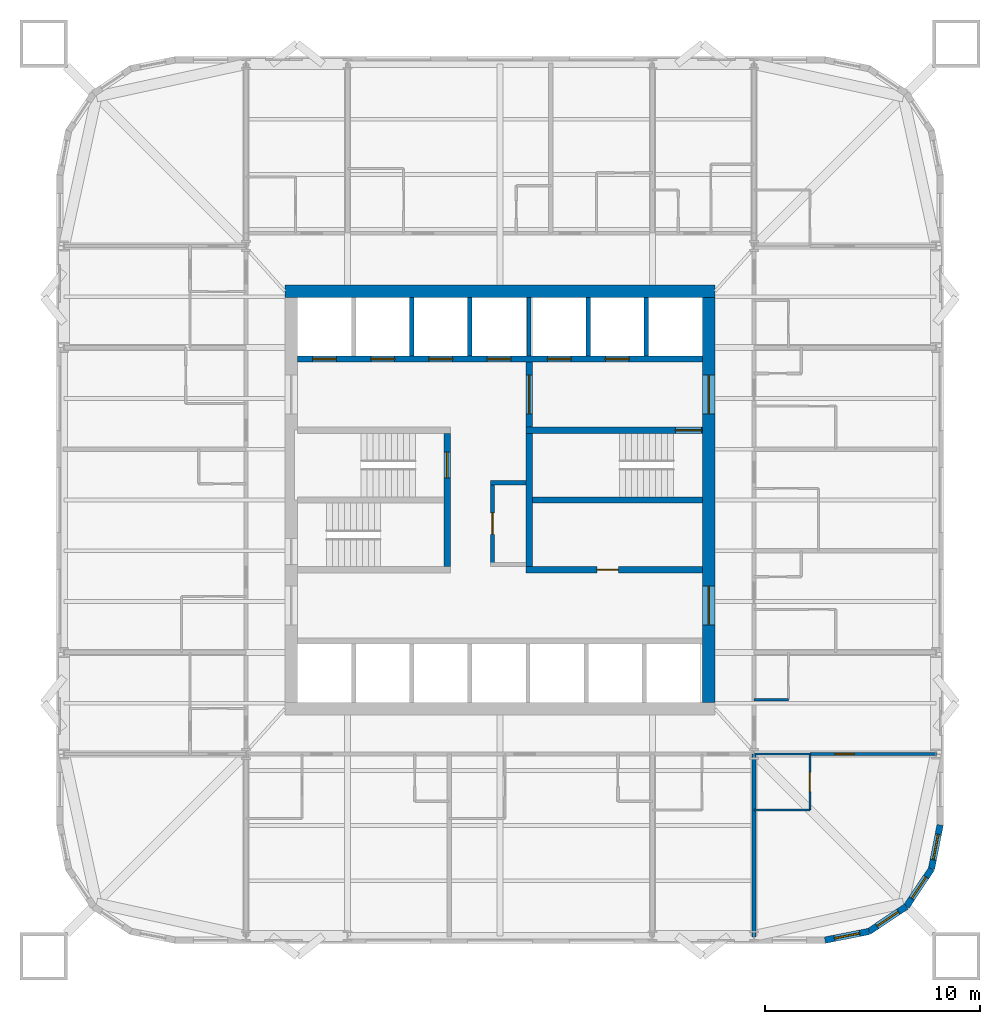
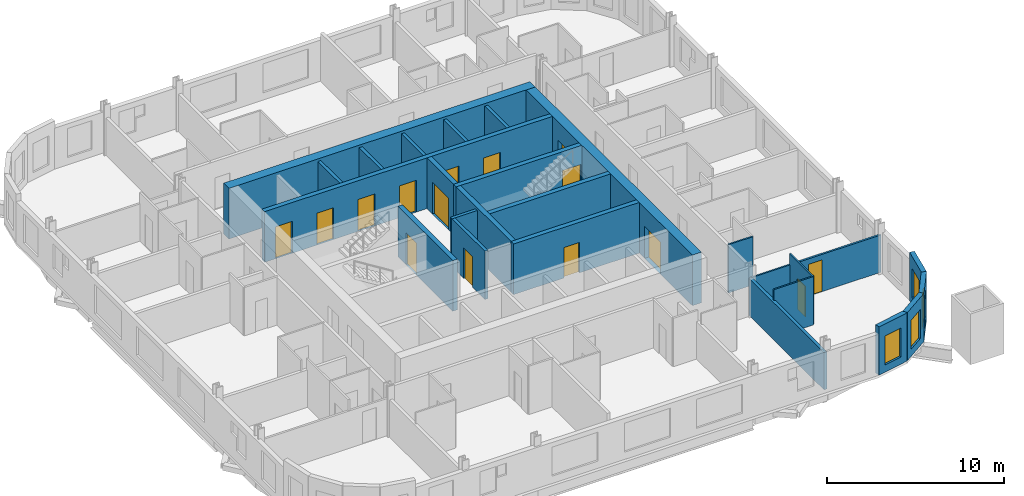
# One storey, part 5 of 9: 25 walls, 15 doors, 4 windows, 19 openings.
"""IFC4 building model written with IfcOpenShell, lengths in metres."""

from ifc_helpers import new_model, si_unit, direction, frame, frame_2d, origin, place, context, subcontext, project, spatial, rectangle, extrude, material, layer, layer_set, type_object, element, fill, save


model = new_model("IFC4")

# Units and contexts
model_context = context("Model", 3, precision=1e-05, world=origin(), true_north=direction((0.0, 1.0)))
body_context = subcontext(model_context, "Body", "Model", "MODEL_VIEW")
ifc_project = project(units=[si_unit("LENGTHUNIT", "METRE"), si_unit("AREAUNIT", "SQUARE_METRE"), si_unit("VOLUMEUNIT", "CUBIC_METRE"), si_unit("PLANEANGLEUNIT", "RADIAN"), si_unit("MASSUNIT", "GRAM", prefix="KILO")], contexts=[model_context])

# Site, building, storey
site_placement = place(None, origin())
site = spatial("IfcSite", under=ifc_project, at=site_placement, CompositionType="ELEMENT")
building_placement = place(site_placement, origin())
building = spatial("IfcBuilding", under=site, at=building_placement, Name="Turquesa Mirador Hotel Tower", CompositionType="ELEMENT")
storey_placement = place(building_placement, frame((0.0, 0.0, 110.89990234375)))
storey = spatial("IfcBuildingStorey", under=building, at=storey_placement, Name="L29", CompositionType="ELEMENT", Elevation=110.89990234375)

# Walls
ifc_material_1 = material(Name="Gypsum board on steel studs", Category="steel")
ifc_layer_1 = layer(ifc_material_1, 0.10009765625)
ifc_layer_set_1 = layer_set([ifc_layer_1], Name="BATHROOM WALL 100")
wall_type_1 = type_object("IfcWallType", Name="BATHROOM WALL 100", PredefinedType="PARTITIONING", material=ifc_layer_set_1)
wall_1_placement = place(storey_placement, frame((66.800048828125, 33.199951171875, 0.0), z_axis=(0.0, 0.0, 1.0), x_axis=(1.0, 0.0, 0.0)))
element("IfcWall", 1, at=wall_1_placement, inside=storey, type_object=wall_type_1, Name="Partition L29 001", PredefinedType="PARTITIONING", context=body_context, shape_type="SweptSolid", body=[
    extrude(rectangle(XDim=2.599853515625, YDim=0.10009765625, at=frame_2d((1.2998046875, 0.0))), origin(), (0.0, 0.0, 1.0), 2.5732421875),
])
wall_2_placement = place(storey_placement, frame((66.800048828125, 30.60009765625, 0.0), z_axis=(0.0, 0.0, 1.0), x_axis=(1.0, 0.0, 0.0)))
element("IfcWall", 2, at=wall_2_placement, inside=storey, type_object=wall_type_1, Name="Partition L29 008", PredefinedType="PARTITIONING", context=body_context, shape_type="SweptSolid", body=[
    extrude(rectangle(XDim=2.599853515625, YDim=0.10009765625, at=frame_2d((1.2998046875, 0.0))), origin(), (0.0, 0.0, 1.0), 3.330078125),
])
wall_3_placement = place(storey_placement, frame((66.800048828125, 35.719970703125, 0.0), z_axis=(0.0, 0.0, 1.0), x_axis=(1.0, 0.0, 0.0)))
element("IfcWall", 3, at=wall_3_placement, inside=storey, type_object=wall_type_1, Name="Partition L29 017", PredefinedType="PARTITIONING", context=body_context, shape_type="SweptSolid", body=[
    extrude(rectangle(XDim=1.599853515625, YDim=0.10009765625, at=frame_2d((0.7998046875, 0.0))), origin(), (0.0, 0.0, 1.0), 3.330078125),
])

# Wall, opening, door
wall_4_placement = place(storey_placement, frame((69.39990234375, 30.60009765625, 0.0), z_axis=(0.0, 0.0, 1.0), x_axis=(0.0, 1.0, 0.0)))
wall_4 = element("IfcWall", 4, at=wall_4_placement, inside=storey, type_object=wall_type_1, Name="Partition L29 067", PredefinedType="PARTITIONING", context=body_context, shape_type="SweptSolid", body=[
    extrude(rectangle(XDim=2.599853515625, YDim=0.10009765625, at=frame_2d((1.2998046875, 0.0))), origin(), (0.0, 0.0, 1.0), 3.330078125),
])
opening_1_placement = place(wall_4_placement, frame((0.85009765625, 0.0, 0.0)))
opening_1 = element("IfcOpeningElement", 5, at=opening_1_placement, cuts=wall_4, Name="Opening D02", PredefinedType="OPENING", context=body_context, shape_type="SweptSolid", body=[
    extrude(rectangle(XDim=0.89990234375, YDim=2.10009765625, at=frame_2d((0.449951171875, 1.050048828125))), frame((0.0, 0.06005859375, 0.0), z_axis=(0.0, -1.0, 0.0), x_axis=(1.0, 0.0, 0.0)), (0.0, 0.0, 1.0), 0.1201171875),
])
ifc_material_2 = material(Name="Timber veneered door", Category="wood")
door_type_1 = type_object("IfcDoorType", Name="DOOR 900X2100 EN-SUITE", OperationType="SINGLE_SWING_RIGHT", PredefinedType="DOOR", material=ifc_material_2)
door_1_placement = place(opening_1_placement, origin())
door_1 = element("IfcDoor", 6, at=door_1_placement, inside=storey, type_object=door_type_1, Name="Door 2916B", OperationType="SINGLE_SWING_RIGHT", OverallHeight=2.10009765625, OverallWidth=0.89990234375, PredefinedType="DOOR", context=body_context, shape_type="SweptSolid", body=[
    extrude(rectangle(XDim=0.89990234375, YDim=2.10009765625, at=frame_2d((0.449951171875, 1.050048828125))), frame((0.0, 0.02490234375, 0.0), z_axis=(0.0, -1.0, 0.0), x_axis=(1.0, 0.0, 0.0)), (0.0, 0.0, 1.0), 0.050048828125),
])
fill(opening_1, door_1)

# Wall, openings, doors
ifc_material_3 = material(Name="Concrete C50/60", Category="concrete")
ifc_layer_2 = layer(ifc_material_3, 0.300048828125)
ifc_layer_set_2 = layer_set([ifc_layer_2], Name="CORE INNER WALL 300")
wall_type_2 = type_object("IfcWallType", Name="CORE INNER WALL 300", PredefinedType="SHEAR", material=ifc_layer_set_2)
wall_5_placement = place(storey_placement, frame((45.60009765625, 51.550048828125, 0.0), z_axis=(0.0, 0.0, 1.0), x_axis=(1.0, 0.0, 0.0)))
wall_5 = element("IfcWall", 7, at=wall_5_placement, inside=storey, type_object=wall_type_2, Name="Core wall NL", PredefinedType="SHEAR", context=body_context, shape_type="SweptSolid", body=[
    extrude(rectangle(XDim=18.7998046875, YDim=0.300048828125, at=frame_2d((9.39990234375, 0.0))), origin(), (0.0, 0.0, 1.0), 3.5),
])
opening_2_placement = place(wall_5_placement, frame((0.699951171875, 0.0, 0.0)))
opening_2 = element("IfcOpeningElement", 8, at=opening_2_placement, cuts=wall_5, Name="Opening LD", PredefinedType="OPENING", context=body_context, shape_type="SweptSolid", body=[
    extrude(rectangle(XDim=1.10009765625, YDim=2.199951171875, at=frame_2d((0.550048828125, 1.10009765625))), frame((0.0, 0.159912109375, 0.0), z_axis=(0.0, -1.0, 0.0), x_axis=(1.0, 0.0, 0.0)), (0.0, 0.0, 1.0), 0.320068359375),
])
opening_3_placement = place(wall_5_placement, frame((3.39990234375, 0.0, 0.0)))
opening_3 = element("IfcOpeningElement", 9, at=opening_3_placement, cuts=wall_5, Name="Opening LD", PredefinedType="OPENING", context=body_context, shape_type="SweptSolid", body=[
    extrude(rectangle(XDim=1.10009765625, YDim=2.199951171875, at=frame_2d((0.550048828125, 1.10009765625))), frame((0.0, 0.159912109375, 0.0), z_axis=(0.0, -1.0, 0.0), x_axis=(1.0, 0.0, 0.0)), (0.0, 0.0, 1.0), 0.320068359375),
])
opening_4_placement = place(wall_5_placement, frame((6.10009765625, 0.0, 0.0)))
opening_4 = element("IfcOpeningElement", 10, at=opening_4_placement, cuts=wall_5, Name="Opening LD", PredefinedType="OPENING", context=body_context, shape_type="SweptSolid", body=[
    extrude(rectangle(XDim=1.10009765625, YDim=2.199951171875, at=frame_2d((0.550048828125, 1.10009765625))), frame((0.0, 0.159912109375, 0.0), z_axis=(0.0, -1.0, 0.0), x_axis=(1.0, 0.0, 0.0)), (0.0, 0.0, 1.0), 0.320068359375),
])
opening_5_placement = place(wall_5_placement, frame((8.800048828125, 0.0, 0.0)))
opening_5 = element("IfcOpeningElement", 11, at=opening_5_placement, cuts=wall_5, Name="Opening LD", PredefinedType="OPENING", context=body_context, shape_type="SweptSolid", body=[
    extrude(rectangle(XDim=1.10009765625, YDim=2.199951171875, at=frame_2d((0.550048828125, 1.10009765625))), frame((0.0, 0.159912109375, 0.0), z_axis=(0.0, -1.0, 0.0), x_axis=(1.0, 0.0, 0.0)), (0.0, 0.0, 1.0), 0.320068359375),
])
opening_6_placement = place(wall_5_placement, frame((11.60009765625, 0.0, 0.0)))
opening_6 = element("IfcOpeningElement", 12, at=opening_6_placement, cuts=wall_5, Name="Opening LD", PredefinedType="OPENING", context=body_context, shape_type="SweptSolid", body=[
    extrude(rectangle(XDim=1.10009765625, YDim=2.199951171875, at=frame_2d((0.550048828125, 1.10009765625))), frame((0.0, 0.159912109375, 0.0), z_axis=(0.0, -1.0, 0.0), x_axis=(1.0, 0.0, 0.0)), (0.0, 0.0, 1.0), 0.320068359375),
])
opening_7_placement = place(wall_5_placement, frame((14.300048828125, 0.0, 0.0)))
opening_7 = element("IfcOpeningElement", 13, at=opening_7_placement, cuts=wall_5, Name="Opening LD", PredefinedType="OPENING", context=body_context, shape_type="SweptSolid", body=[
    extrude(rectangle(XDim=1.10009765625, YDim=2.199951171875, at=frame_2d((0.550048828125, 1.10009765625))), frame((0.0, 0.159912109375, 0.0), z_axis=(0.0, -1.0, 0.0), x_axis=(1.0, 0.0, 0.0)), (0.0, 0.0, 1.0), 0.320068359375),
])
ifc_material_4 = material(Name="Stainless steel lift landing door", Category="steel")
door_type_2 = type_object("IfcDoorType", Name="LIFT LANDING DOOR 1100X2200", OperationType="SLIDING_TO_LEFT", PredefinedType="DOOR", material=ifc_material_4)
door_2_placement = place(opening_2_placement, origin())
door_2 = element("IfcDoor", 14, at=door_2_placement, inside=storey, type_object=door_type_2, Name="Lift A1 landing door", OperationType="SLIDING_TO_LEFT", OverallHeight=2.199951171875, OverallWidth=1.10009765625, PredefinedType="DOOR", context=body_context, shape_type="SweptSolid", body=[
    extrude(rectangle(XDim=1.10009765625, YDim=2.199951171875, at=frame_2d((0.550048828125, 1.10009765625))), frame((0.0, 0.02490234375, 0.0), z_axis=(0.0, -1.0, 0.0), x_axis=(1.0, 0.0, 0.0)), (0.0, 0.0, 1.0), 0.050048828125),
])
fill(opening_2, door_2)
door_3_placement = place(opening_3_placement, origin())
door_3 = element("IfcDoor", 15, at=door_3_placement, inside=storey, type_object=door_type_2, Name="Lift A2 landing door", OperationType="SLIDING_TO_LEFT", OverallHeight=2.199951171875, OverallWidth=1.10009765625, PredefinedType="DOOR", context=body_context, shape_type="SweptSolid", body=[
    extrude(rectangle(XDim=1.10009765625, YDim=2.199951171875, at=frame_2d((0.550048828125, 1.10009765625))), frame((0.0, 0.02490234375, 0.0), z_axis=(0.0, -1.0, 0.0), x_axis=(1.0, 0.0, 0.0)), (0.0, 0.0, 1.0), 0.050048828125),
])
fill(opening_3, door_3)
door_4_placement = place(opening_4_placement, origin())
door_4 = element("IfcDoor", 16, at=door_4_placement, inside=storey, type_object=door_type_2, Name="Lift A3 landing door", OperationType="SLIDING_TO_LEFT", OverallHeight=2.199951171875, OverallWidth=1.10009765625, PredefinedType="DOOR", context=body_context, shape_type="SweptSolid", body=[
    extrude(rectangle(XDim=1.10009765625, YDim=2.199951171875, at=frame_2d((0.550048828125, 1.10009765625))), frame((0.0, 0.02490234375, 0.0), z_axis=(0.0, -1.0, 0.0), x_axis=(1.0, 0.0, 0.0)), (0.0, 0.0, 1.0), 0.050048828125),
])
fill(opening_4, door_4)
door_5_placement = place(opening_5_placement, origin())
door_5 = element("IfcDoor", 17, at=door_5_placement, inside=storey, type_object=door_type_2, Name="Lift A4 landing door", OperationType="SLIDING_TO_LEFT", OverallHeight=2.199951171875, OverallWidth=1.10009765625, PredefinedType="DOOR", context=body_context, shape_type="SweptSolid", body=[
    extrude(rectangle(XDim=1.10009765625, YDim=2.199951171875, at=frame_2d((0.550048828125, 1.10009765625))), frame((0.0, 0.02490234375, 0.0), z_axis=(0.0, -1.0, 0.0), x_axis=(1.0, 0.0, 0.0)), (0.0, 0.0, 1.0), 0.050048828125),
])
fill(opening_5, door_5)
door_6_placement = place(opening_6_placement, origin())
door_6 = element("IfcDoor", 18, at=door_6_placement, inside=storey, type_object=door_type_2, Name="Lift S1 landing door", OperationType="SLIDING_TO_LEFT", OverallHeight=2.199951171875, OverallWidth=1.10009765625, PredefinedType="DOOR", context=body_context, shape_type="SweptSolid", body=[
    extrude(rectangle(XDim=1.10009765625, YDim=2.199951171875, at=frame_2d((0.550048828125, 1.10009765625))), frame((0.0, 0.02490234375, 0.0), z_axis=(0.0, -1.0, 0.0), x_axis=(1.0, 0.0, 0.0)), (0.0, 0.0, 1.0), 0.050048828125),
])
fill(opening_6, door_6)
door_7_placement = place(opening_7_placement, origin())
door_7 = element("IfcDoor", 19, at=door_7_placement, inside=storey, type_object=door_type_2, Name="Lift S2 landing door", OperationType="SLIDING_TO_LEFT", OverallHeight=2.199951171875, OverallWidth=1.10009765625, PredefinedType="DOOR", context=body_context, shape_type="SweptSolid", body=[
    extrude(rectangle(XDim=1.10009765625, YDim=2.199951171875, at=frame_2d((0.550048828125, 1.10009765625))), frame((0.0, 0.02490234375, 0.0), z_axis=(0.0, -1.0, 0.0), x_axis=(1.0, 0.0, 0.0)), (0.0, 0.0, 1.0), 0.050048828125),
])
fill(opening_7, door_7)

# Wall, opening, door
wall_6_placement = place(storey_placement, frame((56.199951171875, 48.25, 0.0), z_axis=(0.0, 0.0, 1.0), x_axis=(1.0, 0.0, 0.0)))
wall_6 = element("IfcWall", 20, at=wall_6_placement, inside=storey, type_object=wall_type_2, Name="Core wall MN-E", PredefinedType="SHEAR", context=body_context, shape_type="SweptSolid", body=[
    extrude(rectangle(XDim=8.199951171875, YDim=0.300048828125, at=frame_2d((4.10009765625, 0.0))), origin(), (0.0, 0.0, 1.0), 3.5),
])
opening_8_placement = place(wall_6_placement, frame((6.949951171875, 0.0, 0.0)))
opening_8 = element("IfcOpeningElement", 21, at=opening_8_placement, cuts=wall_6, Name="Opening D03", PredefinedType="OPENING", context=body_context, shape_type="SweptSolid", body=[
    extrude(rectangle(XDim=1.199951171875, YDim=2.199951171875, at=frame_2d((0.60009765625, 1.10009765625))), frame((0.0, 0.159912109375, 0.0), z_axis=(0.0, -1.0, 0.0), x_axis=(1.0, 0.0, 0.0)), (0.0, 0.0, 1.0), 0.320068359375),
])
ifc_material_5 = material(Name="Steel fire door", Category="steel")
door_type_3 = type_object("IfcDoorType", Name="DOOR 1200X2200 STAIR", OperationType="SINGLE_SWING_LEFT", PredefinedType="DOOR", material=ifc_material_5)
door_8_placement = place(opening_8_placement, origin())
door_8 = element("IfcDoor", 22, at=door_8_placement, inside=storey, type_object=door_type_3, Name="Stair ST3 door", OperationType="SINGLE_SWING_LEFT", OverallHeight=2.199951171875, OverallWidth=1.199951171875, PredefinedType="DOOR", context=body_context, shape_type="SweptSolid", body=[
    extrude(rectangle(XDim=1.199951171875, YDim=2.199951171875, at=frame_2d((0.60009765625, 1.10009765625))), frame((0.0, 0.02490234375, 0.0), z_axis=(0.0, -1.0, 0.0), x_axis=(1.0, 0.0, 0.0)), (0.0, 0.0, 1.0), 0.050048828125),
])
fill(opening_8, door_8)

wall_7_placement = place(storey_placement, frame((56.199951171875, 41.75, 0.0), z_axis=(0.0, 0.0, 1.0), x_axis=(1.0, 0.0, 0.0)))
wall_7 = element("IfcWall", 23, at=wall_7_placement, inside=storey, type_object=wall_type_2, Name="Core wall MS-E", PredefinedType="SHEAR", context=body_context, shape_type="SweptSolid", body=[
    extrude(rectangle(XDim=8.199951171875, YDim=0.300048828125, at=frame_2d((4.10009765625, 0.0))), origin(), (0.0, 0.0, 1.0), 3.5),
])
opening_9_placement = place(wall_7_placement, frame((3.300048828125, 0.0, 0.0)))
opening_9 = element("IfcOpeningElement", 24, at=opening_9_placement, cuts=wall_7, Name="Opening D05", PredefinedType="OPENING", context=body_context, shape_type="SweptSolid", body=[
    extrude(rectangle(XDim=1.0, YDim=2.10009765625, at=frame_2d((0.5, 1.050048828125))), frame((0.0, 0.159912109375, 0.0), z_axis=(0.0, -1.0, 0.0), x_axis=(1.0, 0.0, 0.0)), (0.0, 0.0, 1.0), 0.320068359375),
])
ifc_material_6 = material(Name="Steel fire door", Category="steel")
door_type_4 = type_object("IfcDoorType", Name="DOOR 1000X2100 SERVICE", OperationType="SINGLE_SWING_LEFT", PredefinedType="DOOR", material=ifc_material_6)
door_9_placement = place(opening_9_placement, origin())
door_9 = element("IfcDoor", 25, at=door_9_placement, inside=storey, type_object=door_type_4, Name="Housekeeping room door", OperationType="SINGLE_SWING_LEFT", OverallHeight=2.10009765625, OverallWidth=1.0, PredefinedType="DOOR", context=body_context, shape_type="SweptSolid", body=[
    extrude(rectangle(XDim=1.0, YDim=2.10009765625, at=frame_2d((0.5, 1.050048828125))), frame((0.0, 0.02490234375, 0.0), z_axis=(0.0, -1.0, 0.0), x_axis=(1.0, 0.0, 0.0)), (0.0, 0.0, 1.0), 0.050048828125),
])
fill(opening_9, door_9)

wall_8_placement = place(storey_placement, frame((52.550048828125, 41.89990234375, 0.0), z_axis=(0.0, 0.0, 1.0), x_axis=(0.0, 1.0, 0.0)))
wall_8 = element("IfcWall", 26, at=wall_8_placement, inside=storey, type_object=wall_type_2, Name="Core wall PW", PredefinedType="SHEAR", context=body_context, shape_type="SweptSolid", body=[
    extrude(rectangle(XDim=6.2001953125, YDim=0.300048828125, at=frame_2d((3.10009765625, 0.0))), origin(), (0.0, 0.0, 1.0), 3.5),
])
opening_10_placement = place(wall_8_placement, frame((4.125, 0.0, 0.0)))
opening_10 = element("IfcOpeningElement", 27, at=opening_10_placement, cuts=wall_8, Name="Opening D03", PredefinedType="OPENING", context=body_context, shape_type="SweptSolid", body=[
    extrude(rectangle(XDim=1.199951171875, YDim=2.199951171875, at=frame_2d((0.60009765625, 1.10009765625))), frame((0.0, 0.159912109375, 0.0), z_axis=(0.0, -1.0, 0.0), x_axis=(1.0, 0.0, 0.0)), (0.0, 0.0, 1.0), 0.320068359375),
])
door_10_placement = place(opening_10_placement, origin())
door_10 = element("IfcDoor", 28, at=door_10_placement, inside=storey, type_object=door_type_3, Name="Stair ST1 door", OperationType="SINGLE_SWING_LEFT", OverallHeight=2.199951171875, OverallWidth=1.199951171875, PredefinedType="DOOR", context=body_context, shape_type="SweptSolid", body=[
    extrude(rectangle(XDim=1.199951171875, YDim=2.199951171875, at=frame_2d((0.60009765625, 1.10009765625))), frame((0.0, 0.02490234375, 0.0), z_axis=(0.0, -1.0, 0.0), x_axis=(1.0, 0.0, 0.0)), (0.0, 0.0, 1.0), 0.050048828125),
])
fill(opening_10, door_10)

wall_9_placement = place(storey_placement, frame((56.35009765625, 41.89990234375, 0.0), z_axis=(0.0, 0.0, 1.0), x_axis=(0.0, 1.0, 0.0)))
wall_9 = element("IfcWall", 29, at=wall_9_placement, inside=storey, type_object=wall_type_2, Name="Core wall PE", PredefinedType="SHEAR", context=body_context, shape_type="SweptSolid", body=[
    extrude(rectangle(XDim=9.5, YDim=0.300048828125, at=frame_2d((4.75, 0.0))), origin(), (0.0, 0.0, 1.0), 3.5),
])
opening_11_placement = place(wall_9_placement, frame((7.10009765625, 0.0, 0.0)))
opening_11 = element("IfcOpeningElement", 30, at=opening_11_placement, cuts=wall_9, Name="Opening D04", PredefinedType="OPENING", context=body_context, shape_type="SweptSolid", body=[
    extrude(rectangle(XDim=1.800048828125, YDim=2.199951171875, at=frame_2d((0.89990234375, 1.10009765625))), frame((0.0, 0.159912109375, 0.0), z_axis=(0.0, -1.0, 0.0), x_axis=(1.0, 0.0, 0.0)), (0.0, 0.0, 1.0), 0.320068359375),
])
ifc_material_7 = material(Name="Steel fire door pair", Category="steel")
door_type_5 = type_object("IfcDoorType", Name="DOOR 1800X2200 PAIR", OperationType="DOUBLE_DOOR_SINGLE_SWING", PredefinedType="DOOR", material=ifc_material_7)
door_11_placement = place(opening_11_placement, origin())
door_11 = element("IfcDoor", 31, at=door_11_placement, inside=storey, type_object=door_type_5, Name="Firefighting lobby inner door", OperationType="DOUBLE_DOOR_SINGLE_SWING", OverallHeight=2.199951171875, OverallWidth=1.800048828125, PredefinedType="DOOR", context=body_context, shape_type="SweptSolid", body=[
    extrude(rectangle(XDim=1.800048828125, YDim=2.199951171875, at=frame_2d((0.89990234375, 1.10009765625))), frame((0.0, 0.02490234375, 0.0), z_axis=(0.0, -1.0, 0.0), x_axis=(1.0, 0.0, 0.0)), (0.0, 0.0, 1.0), 0.050048828125),
])
fill(opening_11, door_11)

# Walls
wall_10_placement = place(storey_placement, frame((56.5, 45.0, 0.0), z_axis=(0.0, 0.0, 1.0), x_axis=(1.0, 0.0, 0.0)))
element("IfcWall", 32, at=wall_10_placement, inside=storey, type_object=wall_type_2, Name="Core wall M0-E", PredefinedType="SHEAR", context=body_context, shape_type="SweptSolid", body=[
    extrude(rectangle(XDim=7.89990234375, YDim=0.300048828125, at=frame_2d((3.949951171875, 0.0))), origin(), (0.0, 0.0, 1.0), 3.5),
])
ifc_material_8 = material(Name="Concrete C50/60", Category="concrete")
ifc_layer_3 = layer(ifc_material_8, 0.60009765625)
ifc_layer_set_3 = layer_set([ifc_layer_3], Name="CORE WALL 600")
wall_type_3 = type_object("IfcWallType", Name="CORE WALL 600", PredefinedType="SHEAR", material=ifc_layer_set_3)
wall_11_placement = place(storey_placement, frame((45.0, 54.699951171875, 0.0), z_axis=(0.0, 0.0, 1.0), x_axis=(1.0, 0.0, 0.0)))
element("IfcWall", 33, at=wall_11_placement, inside=storey, type_object=wall_type_3, Name="Core wall N", PredefinedType="SHEAR", context=body_context, shape_type="SweptSolid", body=[
    extrude(rectangle(XDim=20.0, YDim=0.60009765625, at=frame_2d((10.0, 0.0))), origin(), (0.0, 0.0, 1.0), 3.5),
])

# Wall, openings, doors
wall_12_placement = place(storey_placement, frame((64.699951171875, 35.60009765625, 0.0), z_axis=(0.0, 0.0, 1.0), x_axis=(0.0, 1.0, 0.0)))
wall_12 = element("IfcWall", 34, at=wall_12_placement, inside=storey, type_object=wall_type_3, Name="Core wall E", PredefinedType="SHEAR", context=body_context, shape_type="SweptSolid", body=[
    extrude(rectangle(XDim=18.7998046875, YDim=0.60009765625, at=frame_2d((9.39990234375, 0.0))), origin(), (0.0, 0.0, 1.0), 3.5),
])
opening_12_placement = place(wall_12_placement, frame((13.39990234375, 0.0, 0.0)))
opening_12 = element("IfcOpeningElement", 35, at=opening_12_placement, cuts=wall_12, Name="Opening D04", PredefinedType="OPENING", context=body_context, shape_type="SweptSolid", body=[
    extrude(rectangle(XDim=1.800048828125, YDim=2.199951171875, at=frame_2d((0.89990234375, 1.10009765625))), frame((0.0, 0.31005859375, 0.0), z_axis=(0.0, -1.0, 0.0), x_axis=(1.0, 0.0, 0.0)), (0.0, 0.0, 1.0), 0.6201171875),
])
opening_13_placement = place(wall_12_placement, frame((3.60009765625, 0.0, 0.0)))
opening_13 = element("IfcOpeningElement", 36, at=opening_13_placement, cuts=wall_12, Name="Opening D04", PredefinedType="OPENING", context=body_context, shape_type="SweptSolid", body=[
    extrude(rectangle(XDim=1.800048828125, YDim=2.199951171875, at=frame_2d((0.89990234375, 1.10009765625))), frame((0.0, 0.31005859375, 0.0), z_axis=(0.0, -1.0, 0.0), x_axis=(1.0, 0.0, 0.0)), (0.0, 0.0, 1.0), 0.6201171875),
])
door_12_placement = place(opening_12_placement, origin())
door_12 = element("IfcDoor", 37, at=door_12_placement, inside=storey, type_object=door_type_5, Name="Firefighting lobby door", OperationType="DOUBLE_DOOR_SINGLE_SWING", OverallHeight=2.199951171875, OverallWidth=1.800048828125, PredefinedType="DOOR", context=body_context, shape_type="SweptSolid", body=[
    extrude(rectangle(XDim=1.800048828125, YDim=2.199951171875, at=frame_2d((0.89990234375, 1.10009765625))), frame((0.0, 0.02490234375, 0.0), z_axis=(0.0, -1.0, 0.0), x_axis=(1.0, 0.0, 0.0)), (0.0, 0.0, 1.0), 0.050048828125),
])
fill(opening_12, door_12)
door_13_placement = place(opening_13_placement, origin())
door_13 = element("IfcDoor", 38, at=door_13_placement, inside=storey, type_object=door_type_5, Name="South lift lobby door", OperationType="DOUBLE_DOOR_SINGLE_SWING", OverallHeight=2.199951171875, OverallWidth=1.800048828125, PredefinedType="DOOR", context=body_context, shape_type="SweptSolid", body=[
    extrude(rectangle(XDim=1.800048828125, YDim=2.199951171875, at=frame_2d((0.89990234375, 1.10009765625))), frame((0.0, 0.02490234375, 0.0), z_axis=(0.0, -1.0, 0.0), x_axis=(1.0, 0.0, 0.0)), (0.0, 0.0, 1.0), 0.050048828125),
])
fill(opening_13, door_13)

# Wall, opening, window
ifc_material_9 = material(Name="Limestone cladding on concrete block", Category="masonry")
ifc_layer_4 = layer(ifc_material_9, 0.300048828125)
ifc_layer_set_4 = layer_set([ifc_layer_4], Name="FACADE WALL 300 STONE SCREEN")
wall_type_4 = type_object("IfcWallType", Name="FACADE WALL 300 STONE SCREEN", PredefinedType="SOLIDWALL", material=ifc_layer_set_4)
wall_13_placement = place(storey_placement, frame((70.10009765625, 24.550048828125, 0.0), z_axis=(0.0, 0.0, 1.0), x_axis=(0.980787050784, 0.195081421501, 0.0)))
wall_13 = element("IfcWall", 39, at=wall_13_placement, inside=storey, type_object=wall_type_4, Name="Facade wall L29 00", PredefinedType="SOLIDWALL", context=body_context, shape_type="SweptSolid", body=[
    extrude(rectangle(XDim=2.08740234375, YDim=0.300048828125, at=frame_2d((1.043701171875, 0.0))), origin(), (0.0, 0.0, 1.0), 3.330078125),
])
opening_14_placement = place(wall_13_placement, frame((0.443603515625, 0.0, 0.5)))
opening_14 = element("IfcOpeningElement", 40, at=opening_14_placement, cuts=wall_13, Name="Opening WN4", PredefinedType="OPENING", context=body_context, shape_type="SweptSolid", body=[
    extrude(rectangle(XDim=1.199951171875, YDim=2.0, at=frame_2d((0.60009765625, 1.0))), frame((0.0, 0.159912109375, 0.0), z_axis=(0.0, -1.0, 0.0), x_axis=(1.0, 0.0, 0.0)), (0.0, 0.0, 1.0), 0.320068359375),
])
ifc_material_10 = material(Name="Ceramic-fritted laminated glass", Category="glass")
window_type = type_object("IfcWindowType", Name="FRITTED CORNER WINDOW 1200X2000", PartitioningType="DOUBLE_PANEL_HORIZONTAL", PredefinedType="WINDOW", material=ifc_material_10)
window_1_placement = place(opening_14_placement, origin())
window_1 = element("IfcWindow", 41, at=window_1_placement, inside=storey, type_object=window_type, Name="Window L29", OverallHeight=2.0, OverallWidth=1.199951171875, PartitioningType="SINGLE_PANEL", PredefinedType="WINDOW", context=body_context, shape_type="SweptSolid", body=[
    extrude(rectangle(XDim=1.199951171875, YDim=2.0, at=frame_2d((0.60009765625, 1.0))), frame((0.0, 0.030029296875, 0.0), z_axis=(0.0, -1.0, 0.0), x_axis=(1.0, 0.0, 0.0)), (0.0, 0.0, 1.0), 0.06005859375),
])
fill(opening_14, window_1)

wall_14_placement = place(storey_placement, frame((72.1474609375, 24.957275390625, 0.0), z_axis=(0.0, 0.0, 1.0), x_axis=(0.831474039234, 0.555563607591, 0.0)))
wall_14 = element("IfcWall", 42, at=wall_14_placement, inside=storey, type_object=wall_type_4, Name="Facade wall L29 01", PredefinedType="SOLIDWALL", context=body_context, shape_type="SweptSolid", body=[
    extrude(rectangle(XDim=2.08740234375, YDim=0.300048828125, at=frame_2d((1.043701171875, 0.0))), origin(), (0.0, 0.0, 1.0), 3.330078125),
])
opening_15_placement = place(wall_14_placement, frame((0.443603515625, 0.0, 0.5)))
opening_15 = element("IfcOpeningElement", 43, at=opening_15_placement, cuts=wall_14, Name="Opening WN4", PredefinedType="OPENING", context=body_context, shape_type="SweptSolid", body=[
    extrude(rectangle(XDim=1.199951171875, YDim=2.0, at=frame_2d((0.60009765625, 1.0))), frame((0.0, 0.159912109375, 0.0), z_axis=(0.0, -1.0, 0.0), x_axis=(1.0, 0.0, 0.0)), (0.0, 0.0, 1.0), 0.320068359375),
])
window_2_placement = place(opening_15_placement, origin())
window_2 = element("IfcWindow", 44, at=window_2_placement, inside=storey, type_object=window_type, Name="Window L29", OverallHeight=2.0, OverallWidth=1.199951171875, PartitioningType="SINGLE_PANEL", PredefinedType="WINDOW", context=body_context, shape_type="SweptSolid", body=[
    extrude(rectangle(XDim=1.199951171875, YDim=2.0, at=frame_2d((0.60009765625, 1.0))), frame((0.0, 0.030029296875, 0.0), z_axis=(0.0, -1.0, 0.0), x_axis=(1.0, 0.0, 0.0)), (0.0, 0.0, 1.0), 0.06005859375),
])
fill(opening_15, window_2)

wall_15_placement = place(storey_placement, frame((73.883056640625, 26.116943359375, 0.0), z_axis=(0.0, 0.0, 1.0), x_axis=(0.555563607591, 0.831474039234, 0.0)))
wall_15 = element("IfcWall", 45, at=wall_15_placement, inside=storey, type_object=wall_type_4, Name="Facade wall L29 02", PredefinedType="SOLIDWALL", context=body_context, shape_type="SweptSolid", body=[
    extrude(rectangle(XDim=2.08740234375, YDim=0.300048828125, at=frame_2d((1.043701171875, 0.0))), origin(), (0.0, 0.0, 1.0), 3.330078125),
])
opening_16_placement = place(wall_15_placement, frame((0.443603515625, 0.0, 0.5)))
opening_16 = element("IfcOpeningElement", 46, at=opening_16_placement, cuts=wall_15, Name="Opening WN4", PredefinedType="OPENING", context=body_context, shape_type="SweptSolid", body=[
    extrude(rectangle(XDim=1.199951171875, YDim=2.0, at=frame_2d((0.60009765625, 1.0))), frame((0.0, 0.159912109375, 0.0), z_axis=(0.0, -1.0, 0.0), x_axis=(1.0, 0.0, 0.0)), (0.0, 0.0, 1.0), 0.320068359375),
])
window_3_placement = place(opening_16_placement, origin())
window_3 = element("IfcWindow", 47, at=window_3_placement, inside=storey, type_object=window_type, Name="Window L29", OverallHeight=2.0, OverallWidth=1.199951171875, PartitioningType="SINGLE_PANEL", PredefinedType="WINDOW", context=body_context, shape_type="SweptSolid", body=[
    extrude(rectangle(XDim=1.199951171875, YDim=2.0, at=frame_2d((0.60009765625, 1.0))), frame((0.0, 0.030029296875, 0.0), z_axis=(0.0, -1.0, 0.0), x_axis=(1.0, 0.0, 0.0)), (0.0, 0.0, 1.0), 0.06005859375),
])
fill(opening_16, window_3)

wall_16_placement = place(storey_placement, frame((75.042724609375, 27.8525390625, 0.0), z_axis=(0.0, 0.0, 1.0), x_axis=(0.195081421501, 0.980787050784, 0.0)))
wall_16 = element("IfcWall", 48, at=wall_16_placement, inside=storey, type_object=wall_type_4, Name="Facade wall L29 03", PredefinedType="SOLIDWALL", context=body_context, shape_type="SweptSolid", body=[
    extrude(rectangle(XDim=2.08740234375, YDim=0.300048828125, at=frame_2d((1.043701171875, 0.0))), origin(), (0.0, 0.0, 1.0), 3.330078125),
])
opening_17_placement = place(wall_16_placement, frame((0.443603515625, 0.0, 0.5)))
opening_17 = element("IfcOpeningElement", 49, at=opening_17_placement, cuts=wall_16, Name="Opening WN4", PredefinedType="OPENING", context=body_context, shape_type="SweptSolid", body=[
    extrude(rectangle(XDim=1.199951171875, YDim=2.0, at=frame_2d((0.60009765625, 1.0))), frame((0.0, 0.159912109375, 0.0), z_axis=(0.0, -1.0, 0.0), x_axis=(1.0, 0.0, 0.0)), (0.0, 0.0, 1.0), 0.320068359375),
])
window_4_placement = place(opening_17_placement, origin())
window_4 = element("IfcWindow", 50, at=window_4_placement, inside=storey, type_object=window_type, Name="Window L29", OverallHeight=2.0, OverallWidth=1.199951171875, PartitioningType="SINGLE_PANEL", PredefinedType="WINDOW", context=body_context, shape_type="SweptSolid", body=[
    extrude(rectangle(XDim=1.199951171875, YDim=2.0, at=frame_2d((0.60009765625, 1.0))), frame((0.0, 0.030029296875, 0.0), z_axis=(0.0, -1.0, 0.0), x_axis=(1.0, 0.0, 0.0)), (0.0, 0.0, 1.0), 0.06005859375),
])
fill(opening_17, window_4)

# Wall, opening, door
ifc_material_11 = material(Name="Fire-rated gypsum board on steel studs", Category="steel")
ifc_layer_5 = layer(ifc_material_11, 0.199951171875)
ifc_layer_set_5 = layer_set([ifc_layer_5], Name="FIRE PARTITION 200")
wall_type_5 = type_object("IfcWallType", Name="FIRE PARTITION 200", PredefinedType="PARTITIONING", material=ifc_layer_set_5)
wall_17_placement = place(storey_placement, frame((54.64990234375, 42.0, 0.0), z_axis=(0.0, 0.0, 1.0), x_axis=(0.0, 1.0, 0.0)))
wall_17 = element("IfcWall", 51, at=wall_17_placement, inside=storey, type_object=wall_type_5, Name="Partition L29 RR W", PredefinedType="PARTITIONING", context=body_context, shape_type="SweptSolid", body=[
    extrude(rectangle(XDim=3.800048828125, YDim=0.199951171875, at=frame_2d((1.89990234375, 0.0))), origin(), (0.0, 0.0, 1.0), 3.330078125),
])
opening_18_placement = place(wall_17_placement, frame((1.39990234375, 0.0, 0.0)))
opening_18 = element("IfcOpeningElement", 52, at=opening_18_placement, cuts=wall_17, Name="Opening D05", PredefinedType="OPENING", context=body_context, shape_type="SweptSolid", body=[
    extrude(rectangle(XDim=1.0, YDim=2.10009765625, at=frame_2d((0.5, 1.050048828125))), frame((0.0, 0.10986328125, 0.0), z_axis=(0.0, -1.0, 0.0), x_axis=(1.0, 0.0, 0.0)), (0.0, 0.0, 1.0), 0.219970703125),
])
door_14_placement = place(opening_18_placement, origin())
door_14 = element("IfcDoor", 53, at=door_14_placement, inside=storey, type_object=door_type_4, Name="Staff rest room door", OperationType="SINGLE_SWING_LEFT", OverallHeight=2.10009765625, OverallWidth=1.0, PredefinedType="DOOR", context=body_context, shape_type="SweptSolid", body=[
    extrude(rectangle(XDim=1.0, YDim=2.10009765625, at=frame_2d((0.5, 1.050048828125))), frame((0.0, 0.02490234375, 0.0), z_axis=(0.0, -1.0, 0.0), x_axis=(1.0, 0.0, 0.0)), (0.0, 0.0, 1.0), 0.050048828125),
])
fill(opening_18, door_14)

# Walls
wall_18_placement = place(storey_placement, frame((54.550048828125, 45.800048828125, 0.0), z_axis=(0.0, 0.0, 1.0), x_axis=(1.0, 0.0, 0.0)))
element("IfcWall", 54, at=wall_18_placement, inside=storey, type_object=wall_type_5, Name="Partition L29 RR N", PredefinedType="PARTITIONING", context=body_context, shape_type="SweptSolid", body=[
    extrude(rectangle(XDim=1.64990234375, YDim=0.199951171875, at=frame_2d((0.824951171875, 0.0))), origin(), (0.0, 0.0, 1.0), 3.330078125),
])
ifc_material_12 = material(Name="Fire-rated gypsum shaft wall on steel studs", Category="steel")
ifc_layer_6 = layer(ifc_material_12, 0.199951171875)
ifc_layer_set_6 = layer_set([ifc_layer_6], Name="LIFT SHAFT DIVIDER 200")
wall_type_6 = type_object("IfcWallType", Name="LIFT SHAFT DIVIDER 200", PredefinedType="PARTITIONING", material=ifc_layer_set_6)
for number, where, z_axis, x_axis, name in (
    (55, (50.89990234375, 51.699951171875, 0.0), (0.0, 0.0, 1.0), (0.0, 1.0, 0.0), "Lift shaft divider"),
    (56, (53.60009765625, 51.699951171875, 0.0), (0.0, 0.0, 1.0), (0.0, 1.0, 0.0), "Lift shaft divider"),
    (57, (59.10009765625, 51.699951171875, 0.0), (0.0, 0.0, 1.0), (0.0, 1.0, 0.0), "Lift shaft divider"),
    (58, (61.800048828125, 51.699951171875, 0.0), (0.0, 0.0, 1.0), (0.0, 1.0, 0.0), "Lift shaft divider"),
    (59, (56.35009765625, 51.699951171875, 0.0), (0.0, 0.0, 1.0), (0.0, 1.0, 0.0), "Lift shaft divider"),
):
    element("IfcWall", number, at=place(storey_placement, frame(where, z_axis=z_axis, x_axis=x_axis)), inside=storey, type_object=wall_type_6, Name=name, PredefinedType="PARTITIONING", context=body_context, shape_type="SweptSolid", body=[
        extrude(rectangle(XDim=2.699951171875, YDim=0.199951171875, at=frame_2d((1.35009765625, 0.0))), origin(), (0.0, 0.0, 1.0), 3.330078125),
    ])
ifc_material_13 = material(Name="Fire-rated gypsum board on steel studs", Category="steel")
ifc_layer_7 = layer(ifc_material_13, 0.199951171875)
ifc_layer_set_7 = layer_set([ifc_layer_7], Name="PARTY WALL 200")
wall_type_7 = type_object("IfcWallType", Name="PARTY WALL 200", PredefinedType="PARTITIONING", material=ifc_layer_set_7)
wall_19_placement = place(storey_placement, frame((66.800048828125, 24.699951171875, 0.0), z_axis=(0.0, 0.0, 1.0), x_axis=(0.0, 1.0, 0.0)))
element("IfcWall", 60, at=wall_19_placement, inside=storey, type_object=wall_type_7, Name="Partition L29 061", PredefinedType="PARTITIONING", context=body_context, shape_type="SweptSolid", body=[
    extrude(rectangle(XDim=8.5, YDim=0.199951171875, at=frame_2d((4.25, 0.0))), origin(), (0.0, 0.0, 1.0), 2.5732421875),
])

# Wall, opening, door
ifc_material_14 = material(Name="Acoustic gypsum board on steel studs", Category="steel")
ifc_layer_8 = layer(ifc_material_14, 0.125)
ifc_layer_set_8 = layer_set([ifc_layer_8], Name="SUITE PARTITION 125")
wall_type_8 = type_object("IfcWallType", Name="SUITE PARTITION 125", PredefinedType="PARTITIONING", material=ifc_layer_set_8)
wall_20_placement = place(storey_placement, frame((69.39990234375, 33.199951171875, 0.0), z_axis=(0.0, 0.0, 1.0), x_axis=(1.0, 0.0, 0.0)))
wall_20 = element("IfcWall", 61, at=wall_20_placement, inside=storey, type_object=wall_type_8, Name="Partition L29 004", PredefinedType="PARTITIONING", context=body_context, shape_type="SweptSolid", body=[
    extrude(rectangle(XDim=5.900146484375, YDim=0.125, at=frame_2d((2.9501953125, 0.0))), origin(), (0.0, 0.0, 1.0), 2.5732421875),
])
opening_19_placement = place(wall_20_placement, frame((1.14990234375, 0.0, 0.0)))
opening_19 = element("IfcOpeningElement", 62, at=opening_19_placement, cuts=wall_20, Name="Opening D17", PredefinedType="OPENING", context=body_context, shape_type="SweptSolid", body=[
    extrude(rectangle(XDim=0.89990234375, YDim=2.199951171875, at=frame_2d((0.449951171875, 1.10009765625))), frame((0.0, 0.072509765625, 0.0), z_axis=(0.0, -1.0, 0.0), x_axis=(1.0, 0.0, 0.0)), (0.0, 0.0, 1.0), 0.14501953125),
])
ifc_material_15 = material(Name="Timber veneered door", Category="wood")
door_type_6 = type_object("IfcDoorType", Name="DOOR 900X2200 SUITE INTERNAL", OperationType="SINGLE_SWING_LEFT", PredefinedType="DOOR", material=ifc_material_15)
door_15_placement = place(opening_19_placement, origin())
door_15 = element("IfcDoor", 63, at=door_15_placement, inside=storey, type_object=door_type_6, Name="Door 2916R", OperationType="SINGLE_SWING_LEFT", OverallHeight=2.199951171875, OverallWidth=0.89990234375, PredefinedType="DOOR", context=body_context, shape_type="SweptSolid", body=[
    extrude(rectangle(XDim=0.89990234375, YDim=2.199951171875, at=frame_2d((0.449951171875, 1.10009765625))), frame((0.0, 0.02490234375, 0.0), z_axis=(0.0, -1.0, 0.0), x_axis=(1.0, 0.0, 0.0)), (0.0, 0.0, 1.0), 0.050048828125),
])
fill(opening_19, door_15)

save(model, "model.ifc")
